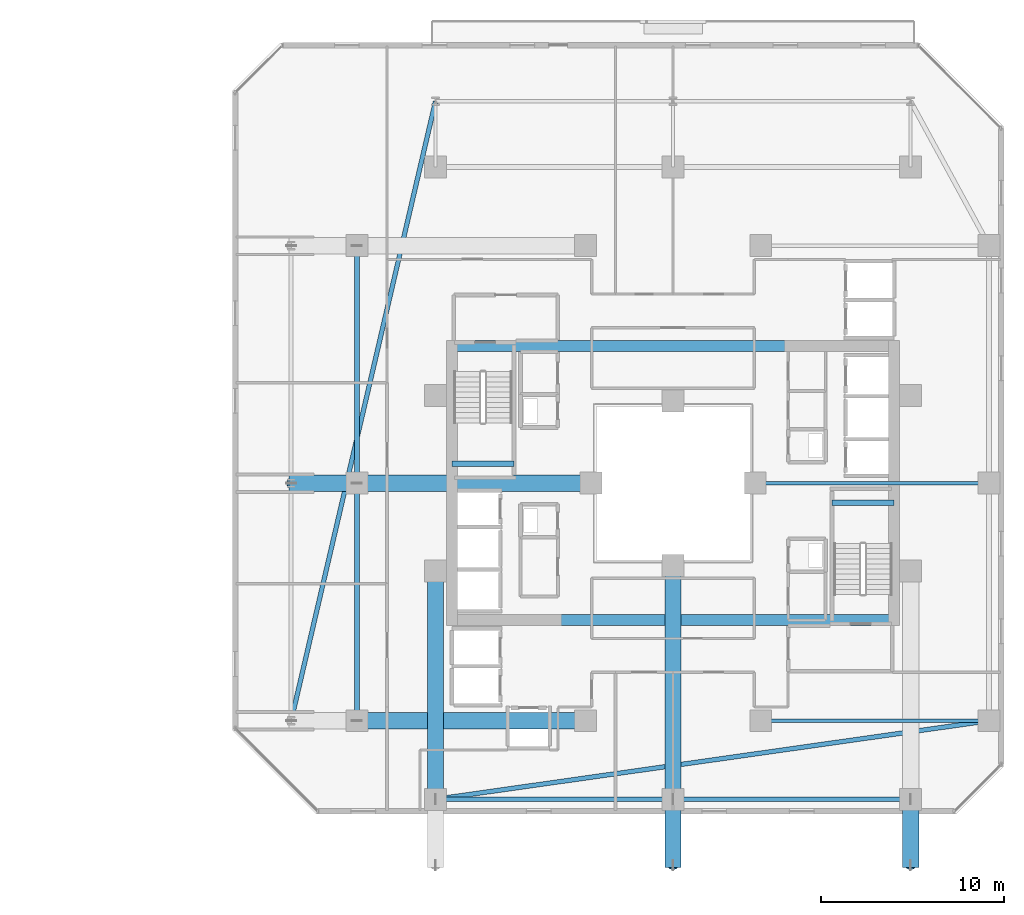
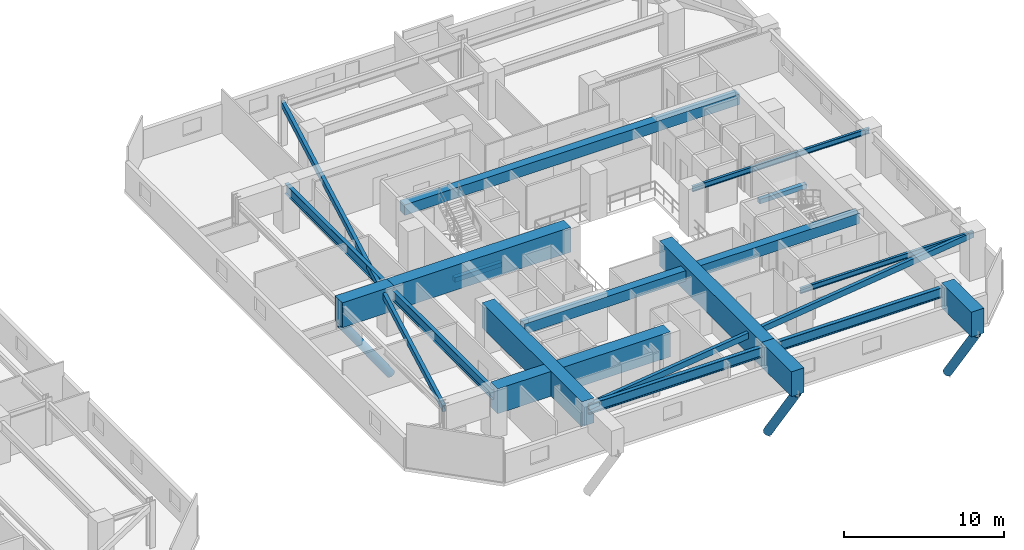
# One storey, part 12 of 36: 19 beams, 3 members.
"""IFC4 building model written with IfcOpenShell, lengths in metres."""

from ifc_helpers import new_model, si_unit, direction, frame, origin, origin_2d, place, context, subcontext, project, spatial, rectangle, hollow_rectangle, hollow_circle, i_section, extrude, material, material_profile, profile_set, type_object, element, save


model = new_model("IFC4")

# Units and contexts
model_context = context("Model", 3, precision=1e-05, world=origin(), true_north=direction((0.0, 1.0)))
body_context = subcontext(model_context, "Body", "Model", "MODEL_VIEW")
ifc_project = project(units=[si_unit("LENGTHUNIT", "METRE"), si_unit("AREAUNIT", "SQUARE_METRE"), si_unit("VOLUMEUNIT", "CUBIC_METRE"), si_unit("PLANEANGLEUNIT", "RADIAN"), si_unit("MASSUNIT", "GRAM", prefix="KILO")], contexts=[model_context])

# Site, building, storey
site_placement = place(None, origin())
site = spatial("IfcSite", under=ifc_project, at=site_placement, CompositionType="ELEMENT")
building_placement = place(site_placement, origin())
building = spatial("IfcBuilding", under=site, at=building_placement, Name="Thornwick Lancets Civic Towers", CompositionType="ELEMENT")
storey_placement = place(building_placement, frame((0.0, 0.0, 94.5)))
storey = spatial("IfcBuildingStorey", under=building, at=storey_placement, Name="L24", CompositionType="ELEMENT", Elevation=94.5)

# Beams
ifc_material_1 = material(Name="Concrete C60/75", Category="concrete")
ifc_material_profile_1 = material_profile(ifc_material_1, rectangle(XDim=0.60009765625, YDim=0.800048828125, at=origin_2d()), Name="RC 600x800")
ifc_profile_set_1 = profile_set([ifc_material_profile_1], Name="Concrete C60/75")
beam_type_1 = type_object("IfcBeamType", Name="BM_COUP_RC800", PredefinedType="BEAM", material=ifc_profile_set_1)
for number, where, z_axis, x_axis, name in (
    (1, (76.39990234375, 34.5, 2.919921875), (1.0, 0.0, 0.0), (0.0, 1.0, 0.0), "CB-L24-B1"),
    (2, (76.39990234375, 19.5, 2.919921875), (1.0, 0.0, 0.0), (0.0, 1.0, 0.0), "CB-L24-B2"),
):
    element("IfcBeam", number, at=place(storey_placement, frame(where, z_axis=z_axis, x_axis=x_axis)), inside=storey, type_object=beam_type_1, Name=name, PredefinedType="BEAM", context=body_context, shape_type="SweptSolid", body=[
        extrude(rectangle(XDim=0.60009765625, YDim=0.800048828125, at=origin_2d()), origin(), (0.0, 0.0, 1.0), 24.2001953125),
    ])
ifc_material_2 = material(Name="Steel S355JR", Category="steel")
ifc_material_profile_2 = material_profile(ifc_material_2, i_section(OverallWidth=0.26806640625, OverallDepth=0.769775390625, WebThickness=0.015625, FlangeThickness=0.025390625, FilletRadius=0.0166015625, at=origin_2d()), Name="UKB 762x267x197")
ifc_profile_set_2 = profile_set([ifc_material_profile_2], Name="Steel S355JR")
beam_type_2 = type_object("IfcBeamType", Name="BM_GIRD_762_197", PredefinedType="BEAM", material=ifc_profile_set_2)
beam_1_placement = place(storey_placement, frame((71.199951171875, 14.0, 2.93505859375), z_axis=(0.0, 1.0, 0.0), x_axis=(-1.0, 0.0, 0.0)))
element("IfcBeam", 3, at=beam_1_placement, inside=storey, type_object=beam_type_2, Name="BM-SPINE-L24-B-6-7", PredefinedType="BEAM", context=body_context, shape_type="SweptSolid", body=[
    extrude(i_section(OverallWidth=0.26806640625, OverallDepth=0.769775390625, WebThickness=0.015625, FlangeThickness=0.025390625, FilletRadius=0.0166015625, at=origin_2d()), origin(), (0.0, 0.0, 1.0), 13.0),
])
beam_2_placement = place(storey_placement, frame((71.199951171875, 27.080078125, 2.93505859375), z_axis=(0.0, 1.0, 0.0), x_axis=(-1.0, 0.0, 0.0)))
element("IfcBeam", 4, at=beam_2_placement, inside=storey, type_object=beam_type_2, Name="BM-SPINE-L24-B-7-8", PredefinedType="BEAM", context=body_context, shape_type="SweptSolid", body=[
    extrude(i_section(OverallWidth=0.26806640625, OverallDepth=0.769775390625, WebThickness=0.015625, FlangeThickness=0.025390625, FilletRadius=0.0166015625, at=origin_2d()), origin(), (0.0, 0.0, 1.0), 12.919921875),
])
beam_3_placement = place(storey_placement, frame((101.5, 9.699951171875, 2.93505859375), z_axis=(-1.0, 0.0, 0.0), x_axis=(0.0, -1.0, 0.0)))
element("IfcBeam", 5, at=beam_3_placement, inside=storey, type_object=beam_type_2, Name="BM-SPINE-L24-B-9-10", PredefinedType="BEAM", context=body_context, shape_type="SweptSolid", body=[
    extrude(i_section(OverallWidth=0.26806640625, OverallDepth=0.769775390625, WebThickness=0.015625, FlangeThickness=0.025390625, FilletRadius=0.0166015625, at=origin_2d()), origin(), (0.0, 0.0, 1.0), 13.0),
])
beam_4_placement = place(storey_placement, frame((88.419921875, 9.699951171875, 2.93505859375), z_axis=(-1.0, 0.0, 0.0), x_axis=(0.0, -1.0, 0.0)))
element("IfcBeam", 6, at=beam_4_placement, inside=storey, type_object=beam_type_2, Name="BM-SPINE-L24-B-10-11", PredefinedType="BEAM", context=body_context, shape_type="SweptSolid", body=[
    extrude(i_section(OverallWidth=0.26806640625, OverallDepth=0.769775390625, WebThickness=0.015625, FlangeThickness=0.025390625, FilletRadius=0.0166015625, at=origin_2d()), origin(), (0.0, 0.0, 1.0), 12.919921875),
])
ifc_material_profile_3 = material_profile(ifc_material_2, i_section(OverallWidth=0.179443359375, OverallDepth=0.412841796875, WebThickness=0.009521484375, FlangeThickness=0.01611328125, FilletRadius=0.01025390625, at=origin_2d()), Name="UKB 406x178x74")
ifc_profile_set_3 = profile_set([ifc_material_profile_3], Name="Steel S355JR")
beam_type_3 = type_object("IfcBeamType", Name="BM_JOIST_406_74", PredefinedType="JOIST", material=ifc_profile_set_3)
beam_5_placement = place(storey_placement, frame((93.300048828125, 14.0, 3.113525390625), z_axis=(1.0, 0.0, 0.0), x_axis=(0.0, 1.0, 0.0)))
element("IfcBeam", 7, at=beam_5_placement, inside=storey, type_object=beam_type_3, Name="BM-RADIN-L24-B01", PredefinedType="JOIST", context=body_context, shape_type="SweptSolid", body=[
    extrude(i_section(OverallWidth=0.179443359375, OverallDepth=0.412841796875, WebThickness=0.009521484375, FlangeThickness=0.01611328125, FilletRadius=0.01025390625, at=origin_2d()), origin(), (0.0, 0.0, 1.0), 12.5),
])
beam_6_placement = place(storey_placement, frame((93.0, 27.0, 3.113525390625), z_axis=(1.0, 0.0, 0.0), x_axis=(0.0, 1.0, 0.0)))
element("IfcBeam", 8, at=beam_6_placement, inside=storey, type_object=beam_type_3, Name="BM-RADIN-L24-B02", PredefinedType="JOIST", context=body_context, shape_type="SweptSolid", body=[
    extrude(i_section(OverallWidth=0.179443359375, OverallDepth=0.412841796875, WebThickness=0.009521484375, FlangeThickness=0.01611328125, FilletRadius=0.01025390625, at=origin_2d()), origin(), (0.0, 0.0, 1.0), 12.800048828125),
])
ifc_material_profile_4 = material_profile(ifc_material_2, hollow_rectangle(XDim=0.25, YDim=0.449951171875, WallThickness=0.01611328125, at=origin_2d()), Name="RHS 450x250x16")
ifc_profile_set_4 = profile_set([ifc_material_profile_4], Name="Steel S355JR")
beam_type_4 = type_object("IfcBeamType", Name="BM_RING_RHS450", PredefinedType="BEAM", material=ifc_profile_set_4)
beam_7_placement = place(storey_placement, frame((75.5, 47.89990234375, 3.094970703125), z_axis=(-0.226955111866, -0.973905219823, 0.0), x_axis=(0.973905219823, -0.226955111866, 0.0)))
element("IfcBeam", 9, at=beam_7_placement, inside=storey, type_object=beam_type_4, Name="BM-CHAMF-L24-B-C1", PredefinedType="BEAM", context=body_context, shape_type="SweptSolid", body=[
    extrude(hollow_rectangle(XDim=0.25, YDim=0.449951171875, WallThickness=0.01611328125, at=origin_2d()), origin(), (0.0, 0.0, 1.0), 34.80810546875),
])
beam_8_placement = place(storey_placement, frame((75.5, 9.699951171875, 3.094970703125), z_axis=(0.990079584012, 0.140507712682, 0.0), x_axis=(-0.140507712682, 0.990079584012, 0.0)))
element("IfcBeam", 10, at=beam_8_placement, inside=storey, type_object=beam_type_4, Name="BM-CHAMF-L24-B-C3", PredefinedType="BEAM", context=body_context, shape_type="SweptSolid", body=[
    extrude(hollow_rectangle(XDim=0.25, YDim=0.449951171875, WallThickness=0.01611328125, at=origin_2d()), origin(), (0.0, 0.0, 1.0), 30.603759765625),
])
ifc_material_3 = material(Name="Concrete C40/50", Category="concrete")
ifc_material_profile_5 = material_profile(ifc_material_3, rectangle(XDim=0.300048828125, YDim=0.35009765625, at=origin_2d()), Name="RC 300x350")
ifc_profile_set_5 = profile_set([ifc_material_profile_5], Name="Concrete C40/50")
beam_type_5 = type_object("IfcBeamType", Name="BM_STAIR_LDG", PredefinedType="BEAM", material=ifc_profile_set_5)
for number, where, z_axis, x_axis, name in (
    (11, (100.60009765625, 25.93505859375, 1.3779296875), (-1.0, 0.0, 0.0), (0.0, -1.0, 0.0), "L24 ST-B1 Landing Support Beam 1"),
    (12, (76.39990234375, 28.06494140625, 1.3779296875), (1.0, 0.0, 0.0), (0.0, 1.0, 0.0), "L24 ST-B2 Landing Support Beam 1"),
):
    element("IfcBeam", number, at=place(storey_placement, frame(where, z_axis=z_axis, x_axis=x_axis)), inside=storey, type_object=beam_type_5, Name=name, PredefinedType="BEAM", context=body_context, shape_type="SweptSolid", body=[
        extrude(rectangle(XDim=0.300048828125, YDim=0.35009765625, at=origin_2d()), origin(), (0.0, 0.0, 1.0), 3.400146484375),
    ])
ifc_material_profile_6 = material_profile(ifc_material_1, rectangle(XDim=0.89990234375, YDim=1.89990234375, at=origin_2d()), Name="RC 900x1900")
ifc_profile_set_6 = profile_set([ifc_material_profile_6], Name="Concrete C60/75")
beam_type_6 = type_object("IfcBeamType", Name="BM_TR_RC1900", PredefinedType="BEAM", material=ifc_profile_set_6)
beam_9_placement = place(storey_placement, frame((83.699951171875, 14.0, 2.64990234375), z_axis=(-1.0, 0.0, 0.0), x_axis=(0.0, -1.0, 0.0)))
element("IfcBeam", 13, at=beam_9_placement, inside=storey, type_object=beam_type_6, Name="TG-BACK-L25-B07", PredefinedType="BEAM", context=body_context, shape_type="SweptSolid", body=[
    extrude(rectangle(XDim=0.89990234375, YDim=1.89990234375, at=origin_2d()), origin(), (0.0, 0.0, 1.0), 12.5),
])
beam_10_placement = place(storey_placement, frame((84.0, 27.0, 2.64990234375), z_axis=(-1.0, 0.0, 0.0), x_axis=(0.0, -1.0, 0.0)))
element("IfcBeam", 14, at=beam_10_placement, inside=storey, type_object=beam_type_6, Name="TG-BACK-L25-B08", PredefinedType="BEAM", context=body_context, shape_type="SweptSolid", body=[
    extrude(rectangle(XDim=0.89990234375, YDim=1.89990234375, at=origin_2d()), origin(), (0.0, 0.0, 1.0), 12.800048828125),
])
for number, where, z_axis, x_axis, name in (
    (15, (71.199951171875, 27.0, 2.64990234375), (-1.0, 0.0, 0.0), (0.0, -1.0, 0.0), "TG-CANT-L25-B08"),
    (16, (101.5, 9.699951171875, 2.64990234375), (0.0, -1.0, 0.0), (1.0, 0.0, 0.0), "TG-CANT-L25-B10"),
):
    element("IfcBeam", number, at=place(storey_placement, frame(where, z_axis=z_axis, x_axis=x_axis)), inside=storey, type_object=beam_type_6, Name=name, PredefinedType="BEAM", context=body_context, shape_type="SweptSolid", body=[
        extrude(rectangle(XDim=0.89990234375, YDim=1.89990234375, at=origin_2d()), origin(), (0.0, 0.0, 1.0), 3.719970703125),
    ])
beam_11_placement = place(storey_placement, frame((88.5, 22.5, 2.64990234375), z_axis=(0.0, -1.0, 0.0), x_axis=(1.0, 0.0, 0.0)))
element("IfcBeam", 17, at=beam_11_placement, inside=storey, type_object=beam_type_6, Name="TG-BACK-L25-B11", PredefinedType="BEAM", context=body_context, shape_type="SweptSolid", body=[
    extrude(rectangle(XDim=0.89990234375, YDim=1.89990234375, at=origin_2d()), origin(), (0.0, 0.0, 1.0), 12.800048828125),
])
beam_12_placement = place(storey_placement, frame((88.5, 9.699951171875, 2.64990234375), z_axis=(0.0, -1.0, 0.0), x_axis=(1.0, 0.0, 0.0)))
element("IfcBeam", 18, at=beam_12_placement, inside=storey, type_object=beam_type_6, Name="TG-CANT-L25-B11", PredefinedType="BEAM", context=body_context, shape_type="SweptSolid", body=[
    extrude(rectangle(XDim=0.89990234375, YDim=1.89990234375, at=origin_2d()), origin(), (0.0, 0.0, 1.0), 3.719970703125),
])
beam_13_placement = place(storey_placement, frame((75.5, 22.199951171875, 2.64990234375), z_axis=(0.0, -1.0, 0.0), x_axis=(1.0, 0.0, 0.0)))
element("IfcBeam", 19, at=beam_13_placement, inside=storey, type_object=beam_type_6, Name="TG-BACK-L25-B12", PredefinedType="BEAM", context=body_context, shape_type="SweptSolid", body=[
    extrude(rectangle(XDim=0.89990234375, YDim=1.89990234375, at=origin_2d()), origin(), (0.0, 0.0, 1.0), 12.5),
])

# Members
ifc_material_4 = material(Name="Steel S460M", Category="steel")
ifc_material_profile_7 = material_profile(ifc_material_4, hollow_circle(Radius=0.304931640625, WallThickness=0.030029296875, at=origin_2d()), Name="CHS 610x30")
ifc_profile_set_7 = profile_set([ifc_material_profile_7], Name="Steel S460M")
member_type = type_object("IfcMemberType", Name="MEM_STRUT_CHS610", PredefinedType="STRUT", material=ifc_profile_set_7)
for number, where, z_axis, x_axis, name in (
    (20, (71.199951171875, 27.0, -3.35009765625), (-0.574400563042, 0.0, 0.818574366308), (0.0, -1.0, 0.0), "L25 Jenga Transfer Raking Strut B08"),
    (21, (101.5, 9.699951171875, -3.35009765625), (0.0, -0.574400563042, 0.818574366308), (1.0, 0.0, 0.0), "L25 Jenga Transfer Raking Strut B10"),
    (22, (88.5, 9.699951171875, -3.35009765625), (0.0, -0.574400563042, 0.818574366308), (1.0, 0.0, 0.0), "L25 Jenga Transfer Raking Strut B11"),
):
    element("IfcMember", number, at=place(storey_placement, frame(where, z_axis=z_axis, x_axis=x_axis)), inside=storey, type_object=member_type, Name=name, PredefinedType="STRUT", context=body_context, shape_type="SweptSolid", body=[
        extrude(hollow_circle(Radius=0.304931640625, WallThickness=0.030029296875, at=origin_2d()), origin(), (0.0, 0.0, 1.0), 6.26708984375),
    ])

save(model, "model.ifc")
